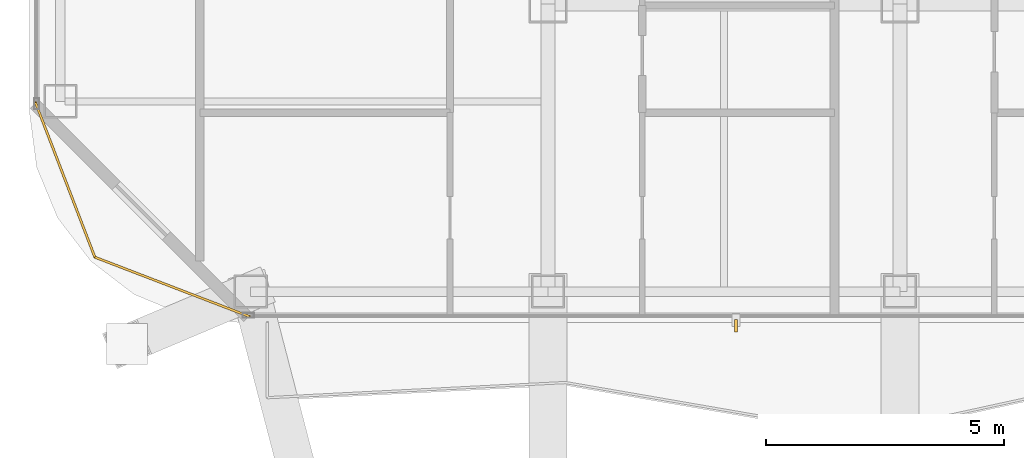
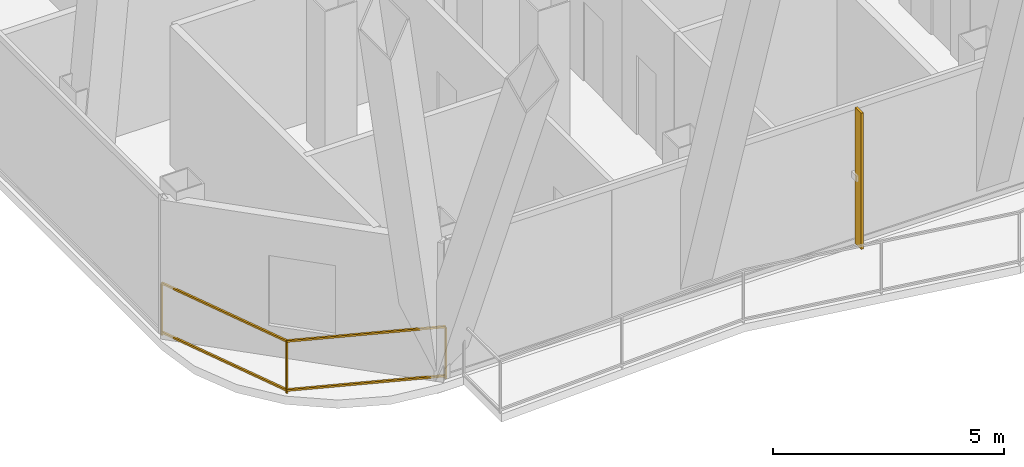
# One storey, part 28 of 34: 1 railing, 1 shading device.
"""IFC4 building model written with IfcOpenShell, lengths in metres."""

from ifc_helpers import new_model, si_unit, direction, frame, origin, origin_2d, place, context, subcontext, project, spatial, rectangle, extrude, material, layer, layer_set, type_object, element, save


model = new_model("IFC4")

# Units and contexts
model_context = context("Model", 3, precision=1e-05, world=origin(), true_north=direction((0.0, 1.0)))
body_context = subcontext(model_context, "Body", "Model", "MODEL_VIEW")
ifc_project = project(units=[si_unit("LENGTHUNIT", "METRE"), si_unit("AREAUNIT", "SQUARE_METRE"), si_unit("VOLUMEUNIT", "CUBIC_METRE"), si_unit("PLANEANGLEUNIT", "RADIAN"), si_unit("MASSUNIT", "GRAM", prefix="KILO")], contexts=[model_context])

# Site, building, storey
site_placement = place(None, origin())
site = spatial("IfcSite", under=ifc_project, at=site_placement, CompositionType="ELEMENT")
building_placement = place(site_placement, origin())
building = spatial("IfcBuilding", under=site, at=building_placement, Name="Khorvyn Point Tower", CompositionType="ELEMENT")
storey_placement = place(building_placement, frame((0.0, 0.0, 175.800048828125)))
storey = spatial("IfcBuildingStorey", under=building, at=storey_placement, Name="L43", CompositionType="ELEMENT", Elevation=175.800048828125)

# Railing
ifc_material_1 = material(Name="Anodised aluminium 6063-T6 and laminated safety glass", Category="aluminium")
railing_type = type_object("IfcRailingType", Name="Laminated Glass and Aluminium Balcony Guardrail 1400", PredefinedType="BALUSTRADE", material=ifc_material_1)
railing_placement = place(storey_placement, frame((-25.57421875, -19.176025390625, 0.0)))
element("IfcRailing", 1, at=railing_placement, inside=storey, type_object=railing_type, Name="L43 Rounded Corner Edge Guardrail SW", PredefinedType="BALUSTRADE", context=body_context, shape_type="SweptSolid", body=[
    extrude(rectangle(XDim=0.048095703125, YDim=0.048095703125, at=origin_2d()), frame((0.0, 0.0, 1.3759765625), z_axis=(0.358382264808, -0.933574931257, 0.0), x_axis=(0.933574931257, 0.358382264808, 0.0)), (0.0, 0.0, 1.0), 3.481689453125),
    extrude(rectangle(XDim=0.048095703125, YDim=0.048095703125, at=origin_2d()), frame((0.0, 0.0, 0.080078125), z_axis=(0.358382264808, -0.933574931257, 0.0), x_axis=(0.933574931257, 0.358382264808, 0.0)), (0.0, 0.0, 1.0), 3.481689453125),
    extrude(rectangle(XDim=0.048095703125, YDim=0.048095703125, at=origin_2d()), frame((1.247802734375, -3.25048828125, 1.3759765625), z_axis=(0.933598390295, -0.358321148746, 0.0), x_axis=(0.358321148746, 0.933598390295, 0.0)), (0.0, 0.0, 1.0), 3.481689453125),
    extrude(rectangle(XDim=0.048095703125, YDim=0.048095703125, at=origin_2d()), frame((1.247802734375, -3.25048828125, 0.080078125), z_axis=(0.933598390295, -0.358321148746, 0.0), x_axis=(0.358321148746, 0.933598390295, 0.0)), (0.0, 0.0, 1.0), 3.481689453125),
    extrude(rectangle(XDim=0.0419921875, YDim=0.0419921875, at=origin_2d()), origin(), (0.0, 0.0, 1.0), 1.351806640625),
    extrude(rectangle(XDim=0.0419921875, YDim=0.0419921875, at=origin_2d()), frame((1.247802734375, -3.25048828125, 0.0)), (0.0, 0.0, 1.0), 1.351806640625),
    extrude(rectangle(XDim=0.0419921875, YDim=0.0419921875, at=origin_2d()), frame((4.498291015625, -4.498046875, 0.0)), (0.0, 0.0, 1.0), 1.351806640625),
])

# Shading device
ifc_material_2 = material(Name="Pale anodised aluminium 6063-T6", Category="aluminium")
ifc_layer = layer(ifc_material_2, 0.054931640625)
ifc_layer_set = layer_set([ifc_layer], Name="Pale Anodised Aluminium FIN 260x55")
shading_device_type = type_object("IfcShadingDeviceType", Name="Pale Anodised Aluminium FIN 260x55", PredefinedType="USERDEFINED", material=ifc_layer_set)
shading_device_placement = place(storey_placement, frame((-10.846435546875, -23.8701171875, 0.039794921875), z_axis=(0.0, 0.0, 1.0), x_axis=(0.0, -1.0, 0.0)))
element("IfcShadingDevice", 2, at=shading_device_placement, inside=storey, type_object=shading_device_type, Name="L43 Anodised FIN 01", ObjectType="FIN", PredefinedType="USERDEFINED", context=body_context, shape_type="SweptSolid", body=[
    extrude(rectangle(XDim=0.260009765625, YDim=0.054931640625, at=origin_2d()), origin(), (0.0, 0.0, 1.0), 3.60009765625),
])

save(model, "model.ifc")
